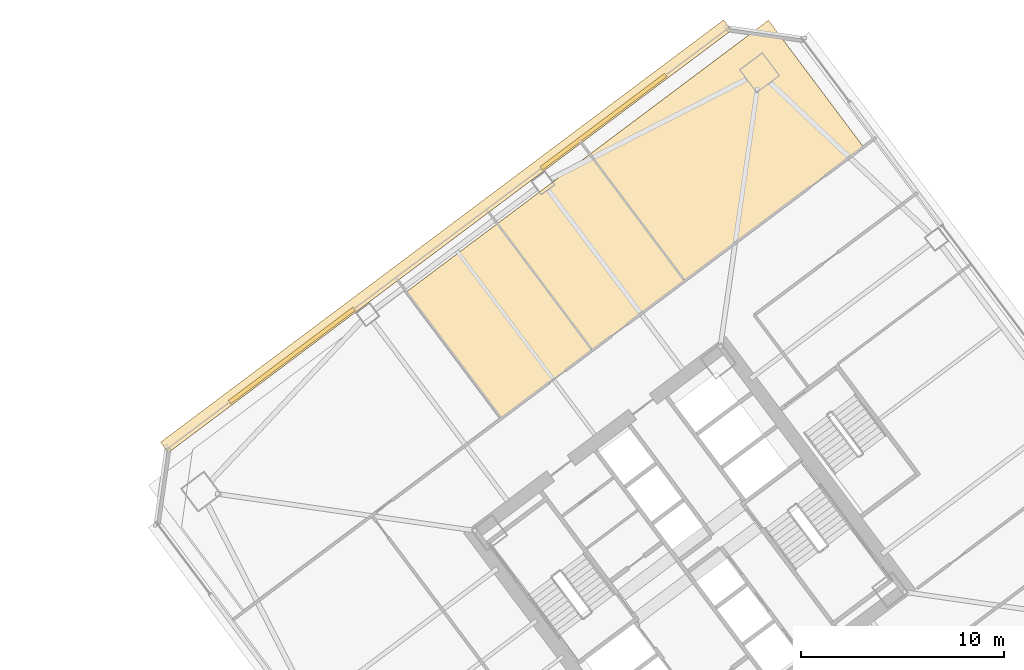
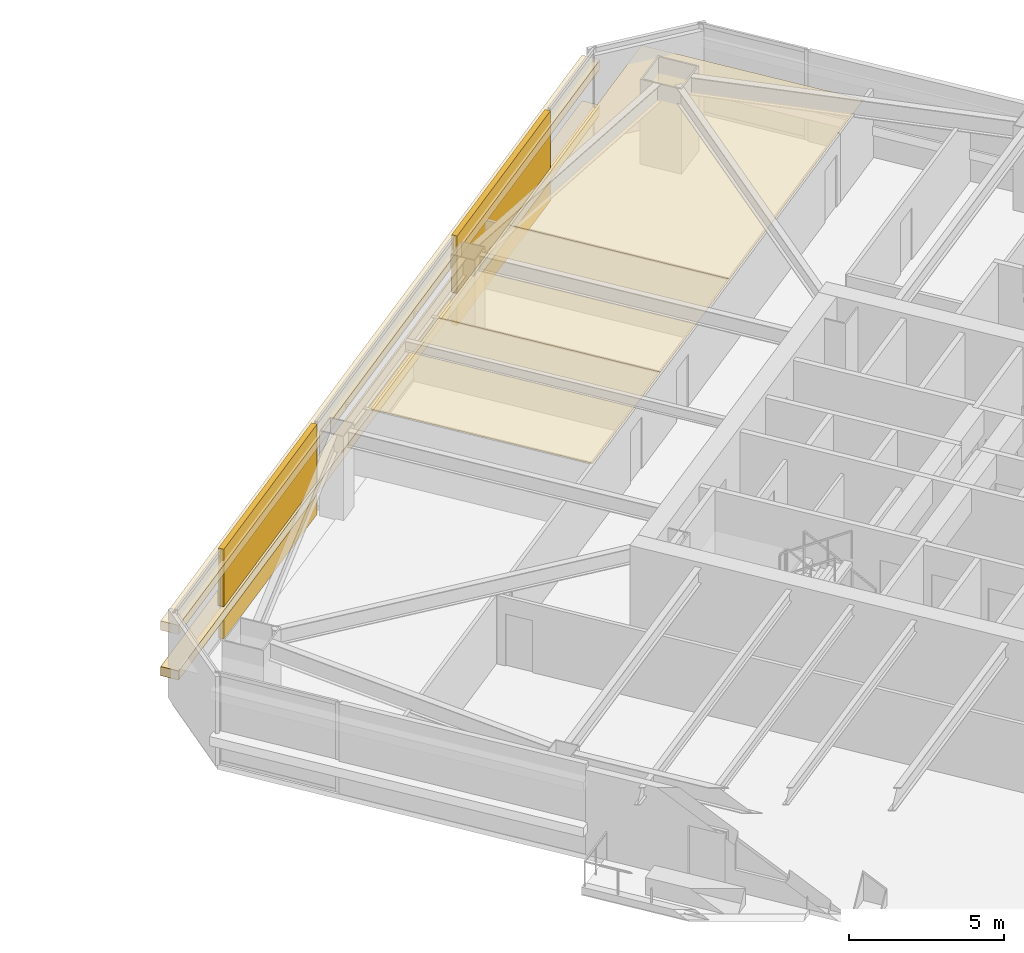
# One storey, part 43 of 44: 7 coverings.
"""IFC4 building model written with IfcOpenShell, lengths in metres."""

from ifc_helpers import new_model, si_unit, direction, frame, origin, origin_2d, place, context, subcontext, project, spatial, polyline, rectangle, outline, extrude, material, layer, layer_set, type_object, element, save


model = new_model("IFC4")

# Units and contexts
model_context = context("Model", 3, precision=1e-05, world=origin(), true_north=direction((0.0, 1.0)))
body_context = subcontext(model_context, "Body", "Model", "MODEL_VIEW")
ifc_project = project(units=[si_unit("LENGTHUNIT", "METRE"), si_unit("AREAUNIT", "SQUARE_METRE"), si_unit("VOLUMEUNIT", "CUBIC_METRE"), si_unit("PLANEANGLEUNIT", "RADIAN"), si_unit("MASSUNIT", "GRAM", prefix="KILO")], contexts=[model_context])

# Site, building, storey
site_placement = place(None, origin())
site = spatial("IfcSite", under=ifc_project, at=site_placement, CompositionType="ELEMENT")
building_placement = place(site_placement, origin())
building = spatial("IfcBuilding", under=site, at=building_placement, Name="Tashvorn Skyway Center", CompositionType="ELEMENT")
storey_placement = place(building_placement, frame((0.0, 0.0, 84.949951171875)))
storey = spatial("IfcBuildingStorey", under=building, at=storey_placement, Name="L22", CompositionType="ELEMENT", Elevation=84.949951171875)

# Coverings
ifc_material_1 = material(Name="Precast concrete C40/50", Category="concrete")
ifc_layer_1 = layer(ifc_material_1, 0.199951171875)
ifc_layer_set_1 = layer_set([ifc_layer_1], Name="Precast concrete C40/50")
covering_type_1 = type_object("IfcCoveringType", Name="COV-BRACE-CLAD", PredefinedType="CLADDING", material=ifc_layer_set_1)
for number, where, z_axis, x_axis, name in (
    (1, (94.39208984375, 42.14404296875, 0.0), (0.0, 0.0, 1.0), (0.799999996291, 0.600000004945, 0.0), "Tower 2 L22 North Unitised Curtain Wall Mega-Brace Cladding Band 1"),
    (2, (109.751953125, 53.6640625, 0.0), (0.0, 0.0, 1.0), (0.799999996291, 0.600000004945, 0.0), "Tower 2 L22 North Unitised Curtain Wall Mega-Brace Cladding Band 2"),
):
    element("IfcCovering", number, at=place(storey_placement, frame(where, z_axis=z_axis, x_axis=x_axis)), inside=storey, type_object=covering_type_1, Name=name, PredefinedType="CLADDING", context=body_context, shape_type="SweptSolid", body=[
        extrude(rectangle(XDim=7.679931640625, YDim=0.199951171875, at=origin_2d()), origin(), (0.0, 0.0, 1.0), 3.550048828125),
    ])
ifc_material_2 = material(Name="Mineral-fibre acoustic ceiling tile on suspended grid")
ifc_layer_2 = layer(ifc_material_2, 0.02001953125)
ifc_layer_set_2 = layer_set([ifc_layer_2], Name="Mineral-fibre acoustic ceiling tile on suspended grid")
covering_type_2 = type_object("IfcCoveringType", Name="COV-CEIL-20", PredefinedType="CEILING", material=ifc_layer_set_2)
covering_1_placement = place(storey_placement, frame((0.0, 0.0, 2.68310546875)))
element("IfcCovering", 3, at=covering_1_placement, inside=storey, type_object=covering_type_2, Name="Tower 2 L22 Research Library Acoustic Ceiling", PredefinedType="CEILING", context=body_context, shape_type="SweptSolid", body=[
    extrude(outline(polyline([(104.719970703125, 39.0400390625), (109.199951171875, 42.39990234375), (104.52001953125, 48.639892578125), (100.0400390625, 45.280029296875), (104.719970703125, 39.0400390625)])), origin(), (0.0, 0.0, 1.0), 0.02001953125),
])
covering_2_placement = place(storey_placement, frame((0.0, 0.0, 2.68310546875)))
element("IfcCovering", 4, at=covering_2_placement, inside=storey, type_object=covering_type_2, Name="Tower 2 L22 Security Control Room Acoustic Ceiling", PredefinedType="CEILING", context=body_context, shape_type="SweptSolid", body=[
    extrude(outline(polyline([(109.199951171875, 42.39990234375), (113.760009765625, 45.820068359375), (109.080078125, 52.06005859375), (104.52001953125, 48.639892578125), (109.199951171875, 42.39990234375)])), origin(), (0.0, 0.0, 1.0), 0.02001953125),
])
covering_3_placement = place(storey_placement, frame((0.0, 0.0, 2.68310546875)))
element("IfcCovering", 5, at=covering_3_placement, inside=storey, type_object=covering_type_2, Name="Tower 2 L22 Research Library Acoustic Ceiling", PredefinedType="CEILING", context=body_context, shape_type="SweptSolid", body=[
    extrude(outline(polyline([(113.760009765625, 45.820068359375), (122.56005859375, 52.419921875), (117.8798828125, 58.659912109375), (109.080078125, 52.06005859375), (113.760009765625, 45.820068359375)])), origin(), (0.0, 0.0, 1.0), 0.02001953125),
])
ifc_material_3 = material(Name="Perforated ceramic-coated bronze aluminium solar screen", Category="aluminium")
ifc_layer_3 = layer(ifc_material_3, 0.85009765625)
ifc_layer_set_3 = layer_set([ifc_layer_3], Name="Perforated ceramic-coated bronze aluminium solar screen")
covering_type_3 = type_object("IfcCoveringType", Name="COV-SOLAR-BAND", PredefinedType="CLADDING", material=ifc_layer_set_3)
for number, where, z_axis, x_axis, name in (
    (6, (101.988037109375, 48.01611328125, 0.919921875), (0.0, 0.0, 1.0), (0.799999996291, 0.600000004945, 0.0), "L22 Perforated Ceramic-Metal Solar Screen Louvre Band North 1"),
    (7, (101.988037109375, 48.01611328125, 2.72021484375), (0.0, 0.0, 1.0), (0.799999996291, 0.600000004945, 0.0), "L22 Perforated Ceramic-Metal Solar Screen Louvre Band North 2"),
):
    element("IfcCovering", number, at=place(storey_placement, frame(where, z_axis=z_axis, x_axis=x_axis)), inside=storey, type_object=covering_type_3, Name=name, PredefinedType="CLADDING", context=body_context, shape_type="SweptSolid", body=[
        extrude(rectangle(XDim=34.679931640625, YDim=0.639892578125, at=origin_2d()), origin(), (0.0, 0.0, 1.0), 0.360107421875),
    ])

save(model, "model.ifc")
